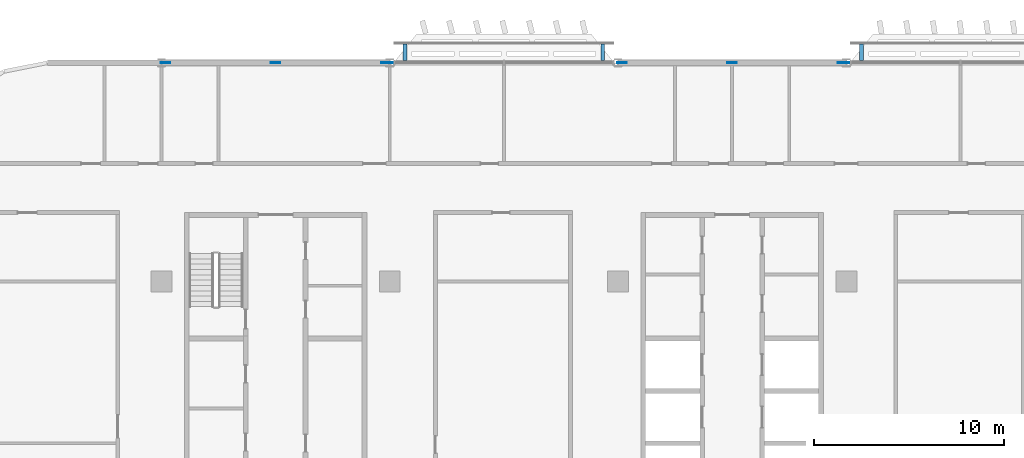
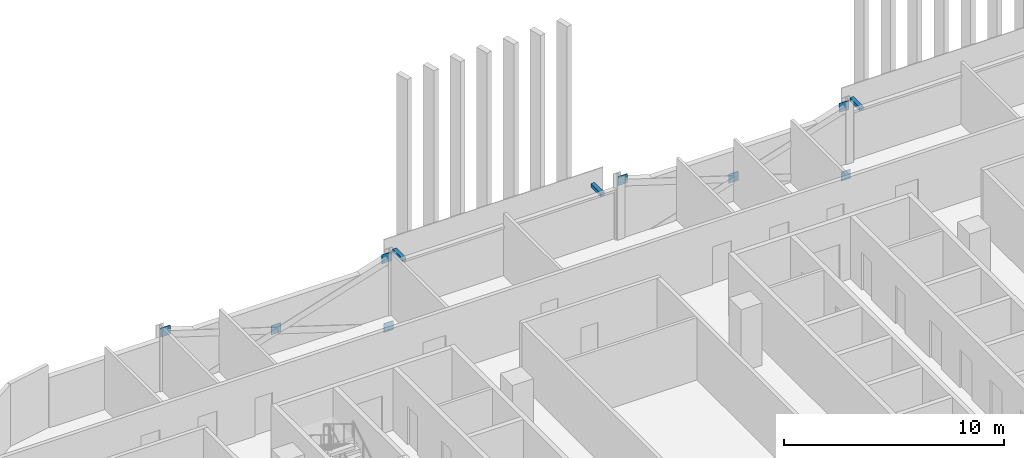
# One storey, part 17 of 28: 11 discrete accessories.
"""IFC4 building model written with IfcOpenShell, lengths in metres."""

from ifc_helpers import new_model, si_unit, direction, frame, origin, origin_2d, place, context, subcontext, project, spatial, rectangle, extrude, material, layer, layer_set, type_object, element, save


model = new_model("IFC4")

# Units and contexts
model_context = context("Model", 3, precision=1e-05, world=origin(), true_north=direction((0.0, 1.0)))
body_context = subcontext(model_context, "Body", "Model", "MODEL_VIEW")
ifc_project = project(units=[si_unit("LENGTHUNIT", "METRE"), si_unit("AREAUNIT", "SQUARE_METRE"), si_unit("VOLUMEUNIT", "CUBIC_METRE"), si_unit("PLANEANGLEUNIT", "RADIAN"), si_unit("MASSUNIT", "GRAM", prefix="KILO")], contexts=[model_context])

# Site, building, storey
site_placement = place(None, origin())
site = spatial("IfcSite", under=ifc_project, at=site_placement, CompositionType="ELEMENT")
building_placement = place(site_placement, origin())
building = spatial("IfcBuilding", under=site, at=building_placement, Name="Mahtab Terrace Research Tower", CompositionType="ELEMENT")
storey_placement = place(building_placement, frame((0.0, 0.0, 193.89990234375)))
storey = spatial("IfcBuildingStorey", under=building, at=storey_placement, Name="L46", CompositionType="ELEMENT", Elevation=193.89990234375)

# Discrete accessories
ifc_material_1 = material(Name="Black anodised aluminium", Category="aluminium")
discrete_accessory_type_1 = type_object("IfcDiscreteAccessoryType", Name="Facade bracket", PredefinedType="BRACKET", material=ifc_material_1)
for number, where, z_axis, x_axis, name in (
    (1, (6.800048828125, 23.5625, 2.48193359375), (0.0, 0.0, 1.0), (-1.0, 0.0, 0.0), "Screen bracket Girih screen L46 N7"),
    (2, (-6.800048828125, 23.5625, 2.48193359375), (0.0, 0.0, 1.0), (-1.0, 0.0, 0.0), "Screen bracket Girih screen L46 N9"),
    (3, (-17.199951171875, 23.5625, 2.48193359375), (0.0, 0.0, 1.0), (-1.0, 0.0, 0.0), "Screen bracket Girih screen L46 N9"),
):
    element("IfcDiscreteAccessory", number, at=place(storey_placement, frame(where, z_axis=z_axis, x_axis=x_axis)), inside=storey, type_object=discrete_accessory_type_1, Name=name, PredefinedType="BRACKET", context=body_context, shape_type="SweptSolid", body=[
        extrude(rectangle(XDim=0.199951171875, YDim=0.875, at=origin_2d()), origin(), (0.0, 0.0, 1.0), 0.199951171875),
    ])
ifc_material_2 = material(Name="Steel ASTM A992 Gr 50", Category="steel")
ifc_layer = layer(ifc_material_2, 0.030029296875)
ifc_layer_set = layer_set([ifc_layer], Name="Gusset plate 500x500x30")
discrete_accessory_type_2 = type_object("IfcDiscreteAccessoryType", Name="Gusset plate 500x500x30", PredefinedType="USERDEFINED", material=ifc_layer_set)
for number, where, z_axis, x_axis, name in (
    (4, (-29.79931640625, 23.0, 2.87109375), (0.0, 0.0, 1.0), (1.0, 0.0, 0.0), "Gusset plate"),
    (5, (-24.0, 23.0, 0.970947265625), (0.0, 0.0, 1.0), (1.0, 0.0, 0.0), "Gusset plate"),
    (6, (-18.100341796875, 23.0, -0.977783203125), (0.0, 0.0, 1.0), (1.0, 0.0, 0.0), "Gusset plate"),
    (7, (-18.20068359375, 23.0, 2.87109375), (0.0, 0.0, 1.0), (1.0, 0.0, 0.0), "Gusset plate"),
    (8, (-5.79931640625, 23.0, 2.87109375), (0.0, 0.0, 1.0), (1.0, 0.0, 0.0), "Gusset plate"),
    (9, (0.0, 23.0, 0.970947265625), (0.0, 0.0, 1.0), (1.0, 0.0, 0.0), "Gusset plate"),
    (10, (5.899658203125, 23.0, -0.977783203125), (0.0, 0.0, 1.0), (1.0, 0.0, 0.0), "Gusset plate"),
    (11, (5.79931640625, 23.0, 2.87109375), (0.0, 0.0, 1.0), (1.0, 0.0, 0.0), "Gusset plate"),
):
    element("IfcDiscreteAccessory", number, at=place(storey_placement, frame(where, z_axis=z_axis, x_axis=x_axis)), inside=storey, type_object=discrete_accessory_type_2, Name=name, ObjectType="GUSSET PLATE", PredefinedType="USERDEFINED", context=body_context, shape_type="SweptSolid", body=[
        extrude(rectangle(XDim=0.5, YDim=0.030029296875, at=origin_2d()), origin(), (0.0, 0.0, 1.0), 0.5),
    ])

save(model, "model.ifc")
